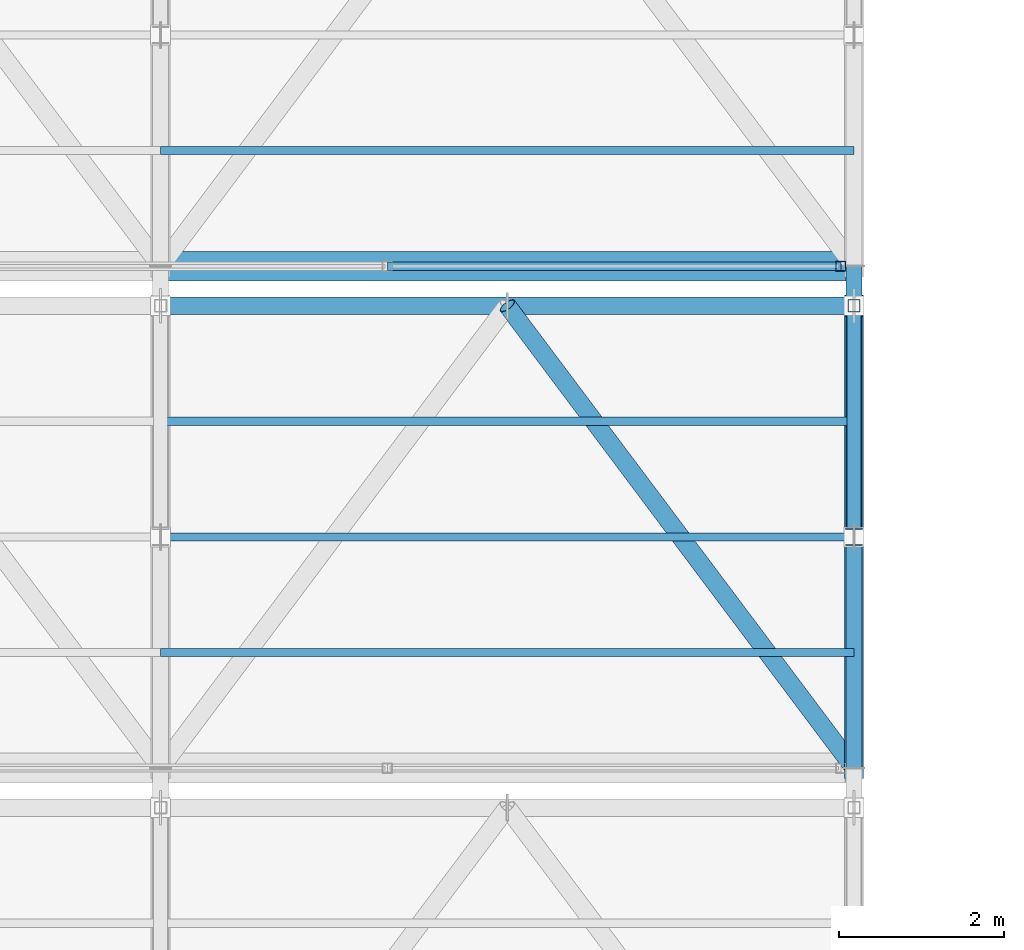
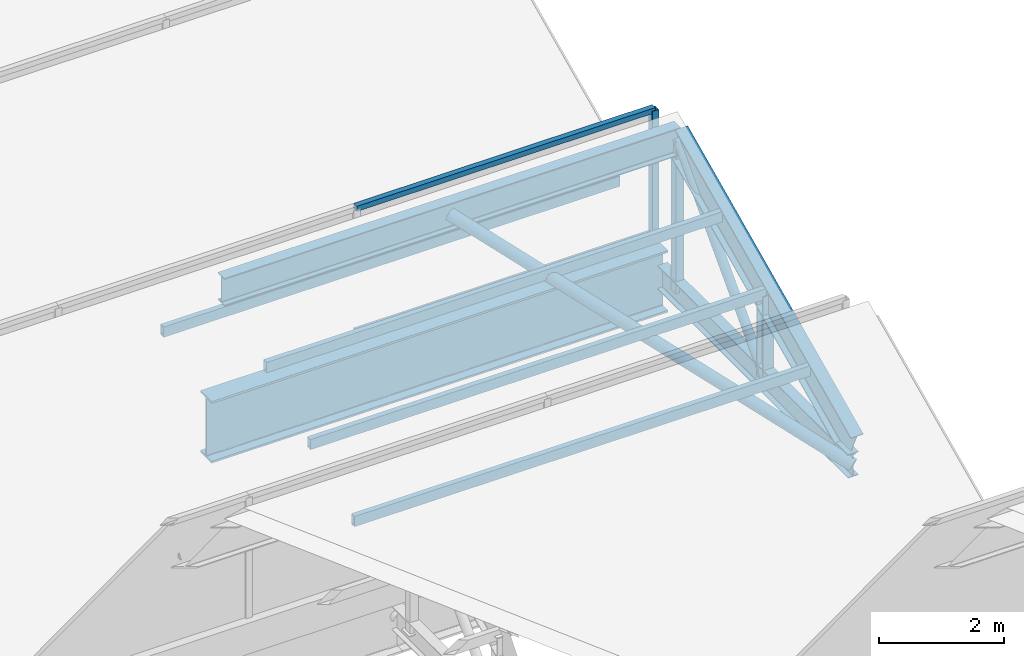
# One storey, part 126 of 217: 14 members, 1 beam, 1 element without a shape of its own.
"""IFC4 building model written with IfcOpenShell, lengths in metres."""

from ifc_helpers import new_model, si_unit, direction, frame, origin, origin_2d, place, context, subcontext, project, spatial, hollow_rectangle, hollow_circle, i_section, extrude, material, material_profile, profile_set, type_object, element, aggregate, save


model = new_model("IFC4")

# Units and contexts
model_context = context("Model", 3, precision=1e-05, world=origin(), true_north=direction((0.0, 1.0)))
body_context = subcontext(model_context, "Body", "Model", "MODEL_VIEW")
ifc_project = project(units=[si_unit("LENGTHUNIT", "METRE"), si_unit("AREAUNIT", "SQUARE_METRE"), si_unit("VOLUMEUNIT", "CUBIC_METRE"), si_unit("PLANEANGLEUNIT", "RADIAN"), si_unit("MASSUNIT", "GRAM", prefix="KILO")], contexts=[model_context])

# Site, building, storey
site_placement = place(None, origin())
site = spatial("IfcSite", under=ifc_project, at=site_placement, CompositionType="ELEMENT")
building_placement = place(site_placement, origin())
building = spatial("IfcBuilding", under=site, at=building_placement, Name="Zuvorla Pavilion Media Centre", CompositionType="ELEMENT")
storey_placement = place(building_placement, frame((0.0, 0.0, 9.60009765625)))
storey = spatial("IfcBuildingStorey", under=building, at=storey_placement, Name="L02", CompositionType="ELEMENT", Elevation=9.60009765625)

# Beam
ifc_material_1 = material(Name="Steel S355", Category="steel")
ifc_material_profile_1 = material_profile(ifc_material_1, i_section(OverallWidth=0.360107421875, OverallDepth=1.199951171875, WebThickness=0.02001953125, FlangeThickness=0.0380859375, FilletRadius=0.02392578125, at=origin_2d()), Name="PG 1200x360x38")
ifc_profile_set_1 = profile_set([ifc_material_profile_1], Name="Steel S355")
beam_type = type_object("IfcBeamType", Name="BM-PG1200", PredefinedType="BEAM", material=ifc_profile_set_1)
beam_placement = place(storey_placement, frame((125.60009765625, 107.840087890625, -0.88818359375), z_axis=(1.0, 0.0, 0.0), x_axis=(0.0, 1.0, 0.0)))
element("IfcBeam", 1, at=beam_placement, inside=storey, type_object=beam_type, Name="L02 beam B01 1801", PredefinedType="BEAM", context=body_context, shape_type="SweptSolid", body=[
    extrude(i_section(OverallWidth=0.360107421875, OverallDepth=1.199951171875, WebThickness=0.02001953125, FlangeThickness=0.0380859375, FilletRadius=0.02392578125, at=origin_2d()), origin(), (0.0, 0.0, 1.0), 8.39990234375),
])

# Curtain wall, members
ifc_material_2 = material(Name="Unitised anodised aluminium and solar glass curtain wall", Category="aluminium")
curtain_wall_type = type_object("IfcCurtainWallType", Name="CW-SYS-88", PredefinedType="USERDEFINED", material=ifc_material_2)
curtain_wall_placement = place(storey_placement, origin())
curtain_wall = element("IfcCurtainWall", 2, at=curtain_wall_placement, inside=storey, type_object=curtain_wall_type, Name="L02 curtain wall CW88 211", ObjectType="CURTAIN WALL", PredefinedType="USERDEFINED")
ifc_material_3 = material(Name="Anodised aluminium 6063-T6", Category="aluminium")
ifc_material_profile_2 = material_profile(ifc_material_3, hollow_rectangle(XDim=0.1201171875, YDim=0.1201171875, WallThickness=0.0048828125, at=origin_2d()), Name="ALU MULL 120x120")
ifc_profile_set_2 = profile_set([ifc_material_profile_2], Name="Anodised aluminium 6063-T6")
member_type_1 = type_object("IfcMemberType", Name="CW-MULL-120", PredefinedType="MULLION", material=ifc_profile_set_2)
member_1_placement = place(storey_placement, frame((133.840087890625, 107.840087890625, 0.0), z_axis=(0.0, 0.0, 1.0), x_axis=(1.0, 0.0, 0.0)))
member_1 = element("IfcMember", 3, at=member_1_placement, type_object=member_type_1, Name="CW88 mullion 4", PredefinedType="MULLION", context=body_context, shape_type="SweptSolid", body=[
    extrude(hollow_rectangle(XDim=0.1201171875, YDim=0.1201171875, WallThickness=0.0048828125, at=origin_2d()), origin(), (0.0, 0.0, 1.0), 2.419921875),
])
ifc_material_profile_3 = material_profile(ifc_material_3, hollow_rectangle(XDim=0.10009765625, YDim=0.10009765625, WallThickness=0.00439453125, at=origin_2d()), Name="ALU TRAN 100x100")
ifc_profile_set_3 = profile_set([ifc_material_profile_3], Name="Anodised aluminium 6063-T6")
member_type_2 = type_object("IfcMemberType", Name="CW-TRAN-100", PredefinedType="USERDEFINED", material=ifc_profile_set_3)
member_2_placement = place(storey_placement, frame((128.3466796875, 107.840087890625, 0.0), z_axis=(1.0, 0.0, 0.0), x_axis=(0.0, 1.0, 0.0)))
member_2 = element("IfcMember", 4, at=member_2_placement, type_object=member_type_2, Name="CW88 transom 3.1", ObjectType="TRANSOM", PredefinedType="USERDEFINED", context=body_context, shape_type="SweptSolid", body=[
    extrude(hollow_rectangle(XDim=0.10009765625, YDim=0.10009765625, WallThickness=0.00439453125, at=origin_2d()), origin(), (0.0, 0.0, 1.0), 5.493408203125),
])
member_3_placement = place(storey_placement, frame((128.3466796875, 107.840087890625, 2.419921875), z_axis=(1.0, 0.0, 0.0), x_axis=(0.0, 1.0, 0.0)))
member_3 = element("IfcMember", 5, at=member_3_placement, type_object=member_type_2, Name="CW88 transom 3.2", ObjectType="TRANSOM", PredefinedType="USERDEFINED", context=body_context, shape_type="SweptSolid", body=[
    extrude(hollow_rectangle(XDim=0.10009765625, YDim=0.10009765625, WallThickness=0.00439453125, at=origin_2d()), origin(), (0.0, 0.0, 1.0), 5.493408203125),
])
aggregate(curtain_wall, [member_1, member_2, member_3])

# Members
ifc_material_profile_4 = material_profile(ifc_material_1, hollow_circle(Radius=0.084228515625, WallThickness=0.008056640625, at=origin_2d()), Name="CHS 168.3x8")
ifc_profile_set_4 = profile_set([ifc_material_profile_4], Name="Steel S355")
member_type_3 = type_object("IfcMemberType", Name="MEM-BRC-CHS168", PredefinedType="BRACE", material=ifc_profile_set_4)
member_4_placement = place(storey_placement, frame((134.0, 104.56005859375, -0.880126953125), z_axis=(0.0, 0.68676242614, 0.726881950555), x_axis=(-1.0, 0.0, 0.0)))
element("IfcMember", 6, at=member_4_placement, inside=storey, type_object=member_type_3, Name="L02 diagonal brace TB03 262", PredefinedType="BRACE", context=body_context, shape_type="SweptSolid", body=[
    extrude(hollow_circle(Radius=0.084228515625, WallThickness=0.008056640625, at=origin_2d()), origin(), (0.0, 0.0, 1.0), 4.0771484375),
])
ifc_material_profile_5 = material_profile(ifc_material_1, hollow_circle(Radius=0.109619140625, WallThickness=0.010009765625, at=origin_2d()), Name="CHS 219.1x10")
ifc_profile_set_5 = profile_set([ifc_material_profile_5], Name="Steel S355")
member_type_4 = type_object("IfcMemberType", Name="MEM-BRC-CHS219", PredefinedType="BRACE", material=ifc_profile_set_5)
member_5_placement = place(storey_placement, frame((129.800048828125, 107.360107421875, 2.08349609375), z_axis=(0.552511596944, -0.736703540702, -0.389870271191), x_axis=(0.800008370399, 0.599988839305, 0.0)))
element("IfcMember", 7, at=member_5_placement, inside=storey, type_object=member_type_4, Name="L02 diagonal brace TB02 308", PredefinedType="BRACE", context=body_context, shape_type="SweptSolid", body=[
    extrude(hollow_circle(Radius=0.109619140625, WallThickness=0.010009765625, at=origin_2d()), origin(), (0.0, 0.0, 1.0), 7.6015625),
])
ifc_material_profile_6 = material_profile(ifc_material_1, i_section(OverallWidth=0.19140625, OverallDepth=0.4599609375, WebThickness=0.010009765625, FlangeThickness=0.01611328125, FilletRadius=0.01025390625, at=origin_2d()), Name="UB 457x191x82")
ifc_profile_set_6 = profile_set([ifc_material_profile_6], Name="Steel S355")
member_type_5 = type_object("IfcMemberType", Name="MEM-CHD-UB457", PredefinedType="CHORD", material=ifc_profile_set_6)
member_6_placement = place(storey_placement, frame((134.0, 101.760009765625, -0.880126953125), z_axis=(0.0, 1.0, 0.0), x_axis=(-1.0, 0.0, 0.0)))
element("IfcMember", 8, at=member_6_placement, inside=storey, type_object=member_type_5, Name="L02 chord TC03 259", PredefinedType="CHORD", context=body_context, shape_type="SweptSolid", body=[
    extrude(i_section(OverallWidth=0.19140625, OverallDepth=0.4599609375, WebThickness=0.010009765625, FlangeThickness=0.01611328125, FilletRadius=0.01025390625, at=origin_2d()), origin(), (0.0, 0.0, 1.0), 6.080078125),
])
ifc_material_profile_7 = material_profile(ifc_material_1, i_section(OverallWidth=0.2099609375, OverallDepth=0.53662109375, WebThickness=0.0107421875, FlangeThickness=0.017333984375, FilletRadius=0.0126953125, at=origin_2d()), Name="UB 533x210x101")
ifc_profile_set_7 = profile_set([ifc_material_profile_7], Name="Steel S355")
member_type_6 = type_object("IfcMemberType", Name="MEM-CHD-UB533", PredefinedType="CHORD", material=ifc_profile_set_7)
member_7_placement = place(storey_placement, frame((125.60009765625, 107.360107421875, 2.08349609375), z_axis=(1.0, 0.0, 0.0), x_axis=(0.0, 1.0, 0.0)))
element("IfcMember", 9, at=member_7_placement, inside=storey, type_object=member_type_6, Name="L02 chord TC02 306", PredefinedType="CHORD", context=body_context, shape_type="SweptSolid", body=[
    extrude(i_section(OverallWidth=0.2099609375, OverallDepth=0.53662109375, WebThickness=0.0107421875, FlangeThickness=0.017333984375, FilletRadius=0.0126953125, at=origin_2d()), origin(), (0.0, 0.0, 1.0), 8.39990234375),
])
ifc_material_profile_8 = material_profile(ifc_material_1, i_section(OverallWidth=0.22900390625, OverallDepth=0.6123046875, WebThickness=0.011962890625, FlangeThickness=0.01953125, FilletRadius=0.0126953125, at=origin_2d()), Name="UB 610x229x125")
ifc_profile_set_8 = profile_set([ifc_material_profile_8], Name="Steel S355")
member_type_7 = type_object("IfcMemberType", Name="MEM-CHD-UB610", PredefinedType="CHORD", material=ifc_profile_set_8)
member_8_placement = place(storey_placement, frame((134.0, 101.760009765625, -0.5166015625), z_axis=(0.0, 0.907005731366, 0.421118277053), x_axis=(-1.0, 0.0, 0.0)))
element("IfcMember", 10, at=member_8_placement, inside=storey, type_object=member_type_7, Name="L02 chord TC01 260", PredefinedType="CHORD", context=body_context, shape_type="SweptSolid", body=[
    extrude(i_section(OverallWidth=0.22900390625, OverallDepth=0.6123046875, WebThickness=0.011962890625, FlangeThickness=0.01953125, FilletRadius=0.0126953125, at=origin_2d()), origin(), (0.0, 0.0, 1.0), 6.17431640625),
])
ifc_material_profile_9 = material_profile(ifc_material_1, hollow_rectangle(XDim=0.10009765625, YDim=0.199951171875, WallThickness=0.008056640625, at=origin_2d()), Name="RHS 200x100x8")
ifc_profile_set_9 = profile_set([ifc_material_profile_9], Name="Steel S355")
member_type_8 = type_object("IfcMemberType", Name="MEM-PUR-RHS200", PredefinedType="PURLIN", material=ifc_profile_set_9)
for number, where, z_axis, x_axis, name in (
    (11, (125.60009765625, 103.159912109375, 0.133544921875), (1.0, 0.0, 0.0), (0.0, 1.0, 0.0), "L02 purlin PR01 309"),
    (12, (125.60009765625, 104.56005859375, 0.783447265625), (1.0, 0.0, 0.0), (0.0, 1.0, 0.0), "L02 purlin PR01 310"),
    (13, (125.60009765625, 105.9599609375, 1.43359375), (1.0, 0.0, 0.0), (0.0, 1.0, 0.0), "L02 purlin PR01 311"),
    (14, (125.60009765625, 109.239990234375, 0.133544921875), (1.0, 0.0, 0.0), (0.0, 1.0, 0.0), "L02 purlin PR01 402"),
):
    element("IfcMember", number, at=place(storey_placement, frame(where, z_axis=z_axis, x_axis=x_axis)), inside=storey, type_object=member_type_8, Name=name, PredefinedType="PURLIN", context=body_context, shape_type="SweptSolid", body=[
        extrude(hollow_rectangle(XDim=0.10009765625, YDim=0.199951171875, WallThickness=0.008056640625, at=origin_2d()), origin(), (0.0, 0.0, 1.0), 8.39990234375),
    ])
ifc_material_profile_10 = material_profile(ifc_material_1, hollow_rectangle(XDim=0.14990234375, YDim=0.14990234375, WallThickness=0.008056640625, at=origin_2d()), Name="SHS 150x150x8")
ifc_profile_set_10 = profile_set([ifc_material_profile_10], Name="Steel S355")
member_type_9 = type_object("IfcMemberType", Name="MEM-STR-SHS150", PredefinedType="STRUT", material=ifc_profile_set_10)
member_9_placement = place(storey_placement, frame((134.0, 107.360107421875, -0.880126953125), z_axis=(0.0, 0.0, 1.0), x_axis=(1.0, 0.0, 0.0)))
element("IfcMember", 15, at=member_9_placement, inside=storey, type_object=member_type_9, Name="L02 vertical strut TS01 261", PredefinedType="STRUT", context=body_context, shape_type="SweptSolid", body=[
    extrude(hollow_rectangle(XDim=0.14990234375, YDim=0.14990234375, WallThickness=0.008056640625, at=origin_2d()), origin(), (0.0, 0.0, 1.0), 2.963623046875),
])
ifc_material_profile_11 = material_profile(ifc_material_1, i_section(OverallWidth=0.205810546875, OverallDepth=0.209716796875, WebThickness=0.009521484375, FlangeThickness=0.01416015625, FilletRadius=0.01025390625, at=origin_2d()), Name="UC 203x203x60")
ifc_profile_set_11 = profile_set([ifc_material_profile_11], Name="Steel S355")
member_type_10 = type_object("IfcMemberType", Name="MEM-STR-UC203", PredefinedType="STRUT", material=ifc_profile_set_11)
member_10_placement = place(storey_placement, frame((134.0, 104.56005859375, -0.880126953125), z_axis=(0.0, 0.0, 1.0), x_axis=(1.0, 0.0, 0.0)))
element("IfcMember", 16, at=member_10_placement, inside=storey, type_object=member_type_10, Name="L02 vertical strut TS02 263", PredefinedType="STRUT", context=body_context, shape_type="SweptSolid", body=[
    extrude(i_section(OverallWidth=0.205810546875, OverallDepth=0.209716796875, WebThickness=0.009521484375, FlangeThickness=0.01416015625, FilletRadius=0.01025390625, at=origin_2d()), origin(), (0.0, 0.0, 1.0), 1.66357421875),
])

save(model, "model.ifc")
